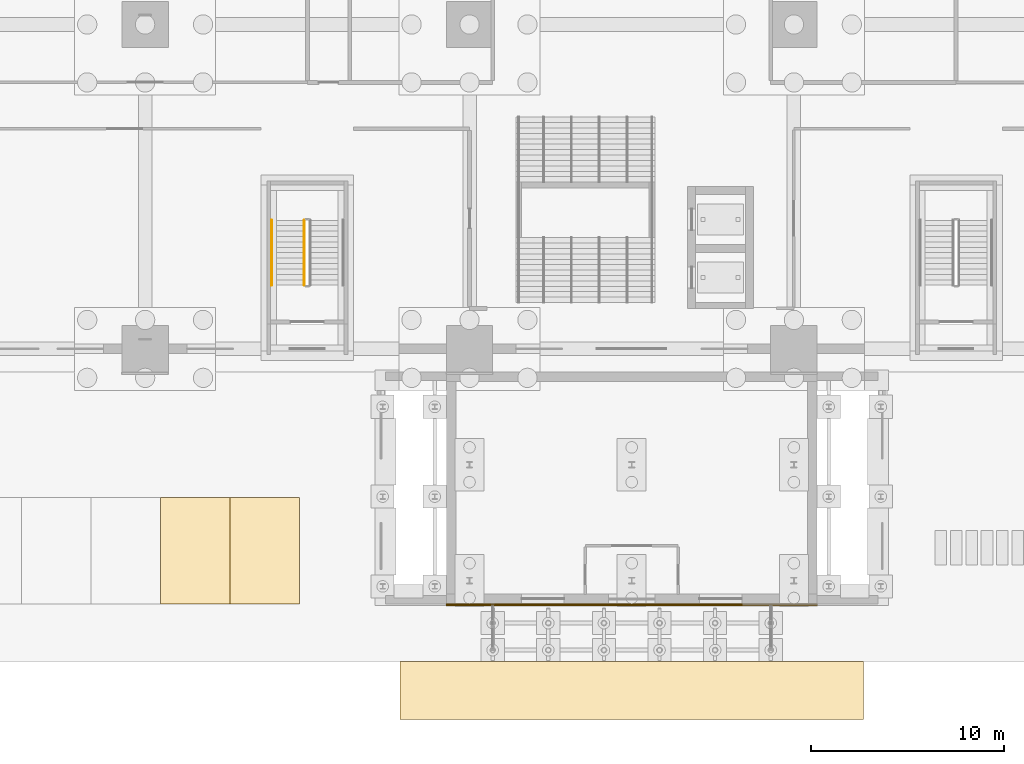
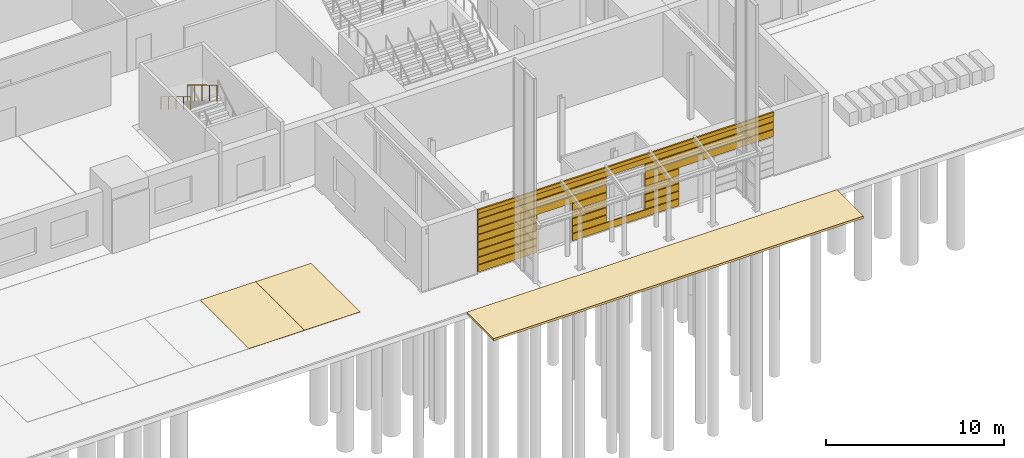
# One storey, part 116 of 139: 23 coverings, 2 railings.
"""IFC4 building model written with IfcOpenShell, lengths in metres."""

from ifc_helpers import new_model, si_unit, direction, frame, origin, origin_2d, place, context, subcontext, project, spatial, polyline, rectangle, circle, outline, extrude, material, layer, layer_set, type_object, element, save


model = new_model("IFC4")

# Units and contexts
model_context = context("Model", 3, precision=1e-05, world=origin(), true_north=direction((0.0, 1.0)))
body_context = subcontext(model_context, "Body", "Model", "MODEL_VIEW")
ifc_project = project(units=[si_unit("LENGTHUNIT", "METRE"), si_unit("AREAUNIT", "SQUARE_METRE"), si_unit("VOLUMEUNIT", "CUBIC_METRE"), si_unit("PLANEANGLEUNIT", "RADIAN"), si_unit("MASSUNIT", "GRAM", prefix="KILO")], contexts=[model_context])

# Site, building, storey
site_placement = place(None, origin())
site = spatial("IfcSite", under=ifc_project, at=site_placement, CompositionType="ELEMENT")
building_placement = place(site_placement, origin())
building = spatial("IfcBuilding", under=site, at=building_placement, Name="Verrick Yard Athletic Hall", CompositionType="ELEMENT")
storey_placement = place(building_placement, origin())
storey = spatial("IfcBuildingStorey", under=building, at=storey_placement, Name="L00", CompositionType="ELEMENT", Elevation=0.0)

# Coverings
ifc_material_1 = material(Name="Asphalt paving")
ifc_layer_1 = layer(ifc_material_1, 0.14990234375)
ifc_layer_set_1 = layer_set([ifc_layer_1], Name="Asphalt roadway")
covering_type_1 = type_object("IfcCoveringType", Name="Asphalt roadway", PredefinedType="USERDEFINED", material=ifc_layer_set_1)
covering_1_placement = place(storey_placement, frame((0.0, 0.0, -0.14990234375)))
element("IfcCovering", 1, at=covering_1_placement, inside=storey, type_object=covering_type_1, Name="Drop-off lay-by", ObjectType="ROADWAY", PredefinedType="USERDEFINED", context=body_context, shape_type="SweptSolid", body=[
    extrude(outline(polyline([(110.800048828125, 0.0), (110.800048828125, 3.0), (86.800048828125, 3.0), (86.800048828125, 0.0), (110.800048828125, 0.0)])), origin(), (0.0, 0.0, 1.0), 0.14990234375),
])
ifc_material_2 = material(Name="Concrete paving 35 MPa", Category="concrete")
ifc_layer_2 = layer(ifc_material_2, 0.10009765625)
ifc_layer_set_2 = layer_set([ifc_layer_2], Name="Site paving")
covering_type_2 = type_object("IfcCoveringType", Name="Site paving", PredefinedType="USERDEFINED", material=ifc_layer_set_2)
covering_2_placement = place(storey_placement, origin())
element("IfcCovering", 2, at=covering_2_placement, inside=storey, type_object=covering_type_2, Name="Accessible parking bay 5", ObjectType="PAVING", PredefinedType="USERDEFINED", context=body_context, shape_type="SweptSolid", body=[
    extrude(outline(polyline([(78.0, 6.0), (78.0, 11.5), (74.39990234375, 11.5), (74.39990234375, 6.0), (78.0, 6.0)])), origin(), (0.0, 0.0, 1.0), 0.02001953125),
])
covering_3_placement = place(storey_placement, origin())
element("IfcCovering", 3, at=covering_3_placement, inside=storey, type_object=covering_type_2, Name="Accessible parking bay 6", ObjectType="PAVING", PredefinedType="USERDEFINED", context=body_context, shape_type="SweptSolid", body=[
    extrude(outline(polyline([(81.60009765625, 6.0), (81.60009765625, 11.5), (78.0, 11.5), (78.0, 6.0), (81.60009765625, 6.0)])), origin(), (0.0, 0.0, 1.0), 0.02001953125),
])

# Railings
ifc_material_3 = material(Name="Stainless steel", Category="steel")
railing_type_1 = type_object("IfcRailingType", Name="Stair and core guard 1100", PredefinedType="GUARDRAIL", material=ifc_material_3)
railing_1_placement = place(storey_placement, frame((81.85009765625, 25.860107421875, 2.369140625)))
element("IfcRailing", 4, at=railing_1_placement, inside=storey, type_object=railing_type_1, Name="L00 South plinth exit 2 stair guard 3", PredefinedType="GUARDRAIL", context=body_context, shape_type="SweptSolid", body=[
    extrude(circle(Radius=0.02392578125, at=origin_2d()), frame((0.0, 0.0, 1.076171875), z_axis=(0.0, -0.855836976705, 0.517245656632), x_axis=(1.0, 0.0, 0.0)), (0.0, 0.0, 1.0), 3.926025390625),
    extrude(circle(Radius=0.02099609375, at=origin_2d()), origin(), (0.0, 0.0, 1.0), 1.052001953125),
    extrude(circle(Radius=0.02099609375, at=origin_2d()), frame((0.0, -0.840087890625, 0.5078125)), (0.0, 0.0, 1.0), 1.052001953125),
    extrude(circle(Radius=0.02099609375, at=origin_2d()), frame((0.0, -1.68017578125, 1.015380859375)), (0.0, 0.0, 1.0), 1.052001953125),
    extrude(circle(Radius=0.02099609375, at=origin_2d()), frame((0.0, -2.52001953125, 1.52294921875)), (0.0, 0.0, 1.0), 1.052001953125),
    extrude(circle(Radius=0.02099609375, at=origin_2d()), frame((0.0, -3.360107421875, 2.03076171875)), (0.0, 0.0, 1.0), 1.052001953125),
])
railing_type_2 = type_object("IfcRailingType", Name="Stair handrail 900", PredefinedType="HANDRAIL", material=ifc_material_3)
railing_2_placement = place(storey_placement, frame((80.14990234375, 25.860107421875, 2.369140625)))
element("IfcRailing", 5, at=railing_2_placement, inside=storey, type_object=railing_type_2, Name="L00 South plinth exit 2 stair handrail 2", PredefinedType="HANDRAIL", context=body_context, shape_type="SweptSolid", body=[
    extrude(circle(Radius=0.02392578125, at=origin_2d()), frame((0.0, 0.0, 0.8759765625), z_axis=(0.0, -0.855836976705, 0.517245656632), x_axis=(1.0, 0.0, 0.0)), (0.0, 0.0, 1.0), 3.926025390625),
    extrude(circle(Radius=0.02099609375, at=origin_2d()), origin(), (0.0, 0.0, 1.0), 0.851806640625),
    extrude(circle(Radius=0.02099609375, at=origin_2d()), frame((0.0, -0.840087890625, 0.5078125)), (0.0, 0.0, 1.0), 0.851806640625),
    extrude(circle(Radius=0.02099609375, at=origin_2d()), frame((0.0, -1.68017578125, 1.015380859375)), (0.0, 0.0, 1.0), 0.851806640625),
    extrude(circle(Radius=0.02099609375, at=origin_2d()), frame((0.0, -2.52001953125, 1.52294921875)), (0.0, 0.0, 1.0), 0.851806640625),
    extrude(circle(Radius=0.02099609375, at=origin_2d()), frame((0.0, -3.360107421875, 2.03076171875)), (0.0, 0.0, 1.0), 0.851806640625),
])

# Coverings
ifc_material_4 = material(Name="Tyndall-stone-look precast cladding", Category="masonry")
ifc_layer_3 = layer(ifc_material_4, 0.125)
ifc_layer_set_3 = layer_set([ifc_layer_3], Name="Stone cladding")
covering_type_3 = type_object("IfcCoveringType", Name="Stone cladding", PredefinedType="CLADDING", material=ifc_layer_set_3)
covering_4_placement = place(storey_placement, frame((91.125, 5.96240234375, 0.125), z_axis=(0.0, 0.0, 1.0), x_axis=(1.0, 0.0, 0.0)))
element("IfcCovering", 6, at=covering_4_placement, inside=storey, type_object=covering_type_3, Name="Foyer rustication", PredefinedType="CLADDING", context=body_context, shape_type="SweptSolid", body=[
    extrude(rectangle(XDim=3.85009765625, YDim=0.074951171875, at=origin_2d()), origin(), (0.0, 0.0, 1.0), 0.46875),
])
covering_5_placement = place(storey_placement, frame((98.800048828125, 5.96240234375, 0.125), z_axis=(0.0, 0.0, 1.0), x_axis=(1.0, 0.0, 0.0)))
element("IfcCovering", 7, at=covering_5_placement, inside=storey, type_object=covering_type_3, Name="Foyer rustication", PredefinedType="CLADDING", context=body_context, shape_type="SweptSolid", body=[
    extrude(rectangle(XDim=6.89990234375, YDim=0.074951171875, at=origin_2d()), origin(), (0.0, 0.0, 1.0), 0.46875),
])
covering_6_placement = place(storey_placement, frame((91.125, 5.96240234375, 0.643798828125), z_axis=(0.0, 0.0, 1.0), x_axis=(1.0, 0.0, 0.0)))
element("IfcCovering", 8, at=covering_6_placement, inside=storey, type_object=covering_type_3, Name="Foyer rustication", PredefinedType="CLADDING", context=body_context, shape_type="SweptSolid", body=[
    extrude(rectangle(XDim=3.85009765625, YDim=0.074951171875, at=origin_2d()), origin(), (0.0, 0.0, 1.0), 0.46875),
])
for number, where, z_axis, x_axis, name in (
    (9, (96.449951171875, 5.96240234375, 0.643798828125), (0.0, 0.0, 1.0), (1.0, 0.0, 0.0), "Foyer rustication"),
    (10, (101.14990234375, 5.96240234375, 0.643798828125), (0.0, 0.0, 1.0), (1.0, 0.0, 0.0), "Foyer rustication"),
):
    element("IfcCovering", number, at=place(storey_placement, frame(where, z_axis=z_axis, x_axis=x_axis)), inside=storey, type_object=covering_type_3, Name=name, PredefinedType="CLADDING", context=body_context, shape_type="SweptSolid", body=[
        extrude(rectangle(XDim=2.199951171875, YDim=0.074951171875, at=origin_2d()), origin(), (0.0, 0.0, 1.0), 0.46875),
    ])
covering_7_placement = place(storey_placement, frame((91.125, 5.96240234375, 1.16259765625), z_axis=(0.0, 0.0, 1.0), x_axis=(1.0, 0.0, 0.0)))
element("IfcCovering", 11, at=covering_7_placement, inside=storey, type_object=covering_type_3, Name="Foyer rustication", PredefinedType="CLADDING", context=body_context, shape_type="SweptSolid", body=[
    extrude(rectangle(XDim=3.85009765625, YDim=0.074951171875, at=origin_2d()), origin(), (0.0, 0.0, 1.0), 0.46875),
])
for number, where, z_axis, x_axis, name in (
    (12, (96.449951171875, 5.96240234375, 1.16259765625), (0.0, 0.0, 1.0), (1.0, 0.0, 0.0), "Foyer rustication"),
    (13, (101.14990234375, 5.96240234375, 1.16259765625), (0.0, 0.0, 1.0), (1.0, 0.0, 0.0), "Foyer rustication"),
):
    element("IfcCovering", number, at=place(storey_placement, frame(where, z_axis=z_axis, x_axis=x_axis)), inside=storey, type_object=covering_type_3, Name=name, PredefinedType="CLADDING", context=body_context, shape_type="SweptSolid", body=[
        extrude(rectangle(XDim=2.199951171875, YDim=0.074951171875, at=origin_2d()), origin(), (0.0, 0.0, 1.0), 0.46875),
    ])
covering_8_placement = place(storey_placement, frame((91.125, 5.96240234375, 1.68115234375), z_axis=(0.0, 0.0, 1.0), x_axis=(1.0, 0.0, 0.0)))
element("IfcCovering", 14, at=covering_8_placement, inside=storey, type_object=covering_type_3, Name="Foyer rustication", PredefinedType="CLADDING", context=body_context, shape_type="SweptSolid", body=[
    extrude(rectangle(XDim=3.85009765625, YDim=0.074951171875, at=origin_2d()), origin(), (0.0, 0.0, 1.0), 0.46875),
])
for number, where, z_axis, x_axis, name in (
    (15, (96.449951171875, 5.96240234375, 1.68115234375), (0.0, 0.0, 1.0), (1.0, 0.0, 0.0), "Foyer rustication"),
    (16, (101.14990234375, 5.96240234375, 1.68115234375), (0.0, 0.0, 1.0), (1.0, 0.0, 0.0), "Foyer rustication"),
):
    element("IfcCovering", number, at=place(storey_placement, frame(where, z_axis=z_axis, x_axis=x_axis)), inside=storey, type_object=covering_type_3, Name=name, PredefinedType="CLADDING", context=body_context, shape_type="SweptSolid", body=[
        extrude(rectangle(XDim=2.199951171875, YDim=0.074951171875, at=origin_2d()), origin(), (0.0, 0.0, 1.0), 0.46875),
    ])
covering_9_placement = place(storey_placement, frame((91.125, 5.96240234375, 2.199951171875), z_axis=(0.0, 0.0, 1.0), x_axis=(1.0, 0.0, 0.0)))
element("IfcCovering", 17, at=covering_9_placement, inside=storey, type_object=covering_type_3, Name="Foyer rustication", PredefinedType="CLADDING", context=body_context, shape_type="SweptSolid", body=[
    extrude(rectangle(XDim=3.85009765625, YDim=0.074951171875, at=origin_2d()), origin(), (0.0, 0.0, 1.0), 0.46875),
])
for number, where, z_axis, x_axis, name in (
    (18, (96.449951171875, 5.96240234375, 2.199951171875), (0.0, 0.0, 1.0), (1.0, 0.0, 0.0), "Foyer rustication"),
    (19, (101.14990234375, 5.96240234375, 2.199951171875), (0.0, 0.0, 1.0), (1.0, 0.0, 0.0), "Foyer rustication"),
):
    element("IfcCovering", number, at=place(storey_placement, frame(where, z_axis=z_axis, x_axis=x_axis)), inside=storey, type_object=covering_type_3, Name=name, PredefinedType="CLADDING", context=body_context, shape_type="SweptSolid", body=[
        extrude(rectangle(XDim=2.199951171875, YDim=0.074951171875, at=origin_2d()), origin(), (0.0, 0.0, 1.0), 0.46875),
    ])
for number, where, z_axis, x_axis, name in (
    (20, (93.375, 5.96240234375, 2.71875), (0.0, 0.0, 1.0), (1.0, 0.0, 0.0), "Foyer rustication"),
    (21, (104.22509765625, 5.96240234375, 2.71875), (0.0, 0.0, 1.0), (1.0, 0.0, 0.0), "Foyer rustication"),
    (22, (93.375, 5.96240234375, 3.237548828125), (0.0, 0.0, 1.0), (1.0, 0.0, 0.0), "Foyer rustication"),
    (23, (104.22509765625, 5.96240234375, 3.237548828125), (0.0, 0.0, 1.0), (1.0, 0.0, 0.0), "Foyer rustication"),
):
    element("IfcCovering", number, at=place(storey_placement, frame(where, z_axis=z_axis, x_axis=x_axis)), inside=storey, type_object=covering_type_3, Name=name, PredefinedType="CLADDING", context=body_context, shape_type="SweptSolid", body=[
        extrude(rectangle(XDim=8.35009765625, YDim=0.074951171875, at=origin_2d()), origin(), (0.0, 0.0, 1.0), 0.46875),
    ])
covering_10_placement = place(storey_placement, frame((98.800048828125, 5.96240234375, 3.75634765625), z_axis=(0.0, 0.0, 1.0), x_axis=(1.0, 0.0, 0.0)))
element("IfcCovering", 24, at=covering_10_placement, inside=storey, type_object=covering_type_3, Name="Foyer rustication", PredefinedType="CLADDING", context=body_context, shape_type="SweptSolid", body=[
    extrude(rectangle(XDim=19.199951171875, YDim=0.074951171875, at=origin_2d()), origin(), (0.0, 0.0, 1.0), 0.46875),
])
ifc_layer_4 = layer(ifc_material_4, 0.25)
ifc_layer_set_4 = layer_set([ifc_layer_4], Name="Stone moulding")
covering_type_4 = type_object("IfcCoveringType", Name="Stone moulding", PredefinedType="MOLDING", material=ifc_layer_set_4)
covering_11_placement = place(storey_placement, frame((98.800048828125, 5.949951171875, 4.14990234375), z_axis=(0.0, 0.0, 1.0), x_axis=(1.0, 0.0, 0.0)))
element("IfcCovering", 25, at=covering_11_placement, inside=storey, type_object=covering_type_4, Name="String course", PredefinedType="MOLDING", context=body_context, shape_type="SweptSolid", body=[
    extrude(rectangle(XDim=19.199951171875, YDim=0.10009765625, at=origin_2d()), origin(), (0.0, 0.0, 1.0), 0.25),
])

save(model, "model.ifc")
